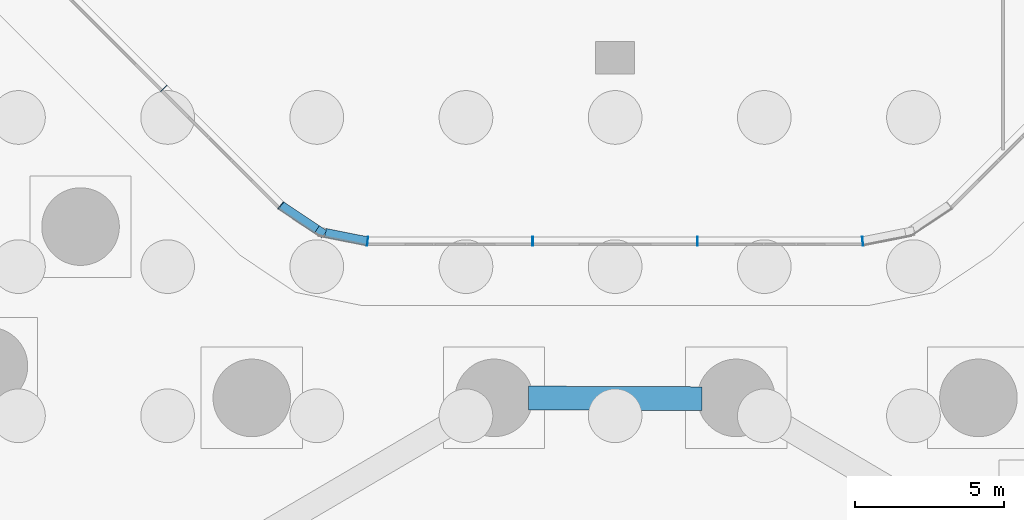
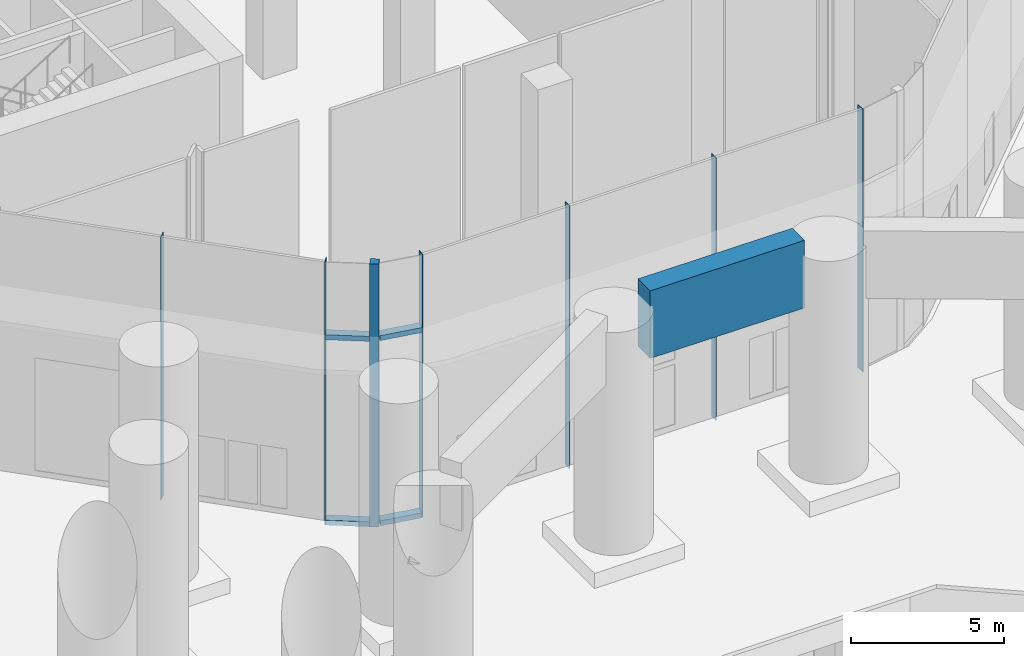
# One storey, part 5 of 31: 11 members, 1 beam, 4 elements without a shape of their own.
"""IFC4 building model written with IfcOpenShell, lengths in metres."""

from ifc_helpers import new_model, si_unit, direction, frame, origin, origin_2d, place, context, subcontext, project, spatial, rectangle, extrude, material, material_profile, profile_set, type_object, element, aggregate, save


model = new_model("IFC4")

# Units and contexts
model_context = context("Model", 3, precision=1e-05, world=origin(), true_north=direction((0.0, 1.0)))
body_context = subcontext(model_context, "Body", "Model", "MODEL_VIEW")
ifc_project = project(units=[si_unit("LENGTHUNIT", "METRE"), si_unit("AREAUNIT", "SQUARE_METRE"), si_unit("VOLUMEUNIT", "CUBIC_METRE"), si_unit("PLANEANGLEUNIT", "RADIAN"), si_unit("MASSUNIT", "GRAM", prefix="KILO")], contexts=[model_context])

# Site, building, storey
site_placement = place(None, origin())
site = spatial("IfcSite", under=ifc_project, at=site_placement, CompositionType="ELEMENT")
building_placement = place(site_placement, origin())
building = spatial("IfcBuilding", under=site, at=building_placement, Name="Orlundy Tower", CompositionType="ELEMENT")
storey_placement = place(building_placement, origin())
storey = spatial("IfcBuildingStorey", under=building, at=storey_placement, Name="L00", CompositionType="ELEMENT", Elevation=0.0)

# Curtain wall, member
ifc_material_1 = material(Name="Aluminium bronze anodised", Category="aluminium")
curtain_wall_type = type_object("IfcCurtainWallType", Name="CW3 wall", PredefinedType="NOTDEFINED", material=ifc_material_1)
curtain_wall_1_placement = place(storey_placement, origin())
curtain_wall_1 = element("IfcCurtainWall", 1, at=curtain_wall_1_placement, inside=storey, type_object=curtain_wall_type, Name="CW3 run 01", PredefinedType="NOTDEFINED")
ifc_material_2 = material(Name="Aluminium bronze anodised", Category="aluminium")
ifc_material_profile_1 = material_profile(ifc_material_2, rectangle(XDim=0.300048828125, YDim=0.300048828125, at=origin_2d()), Name="CW3 corner post 300x300")
ifc_profile_set_1 = profile_set([ifc_material_profile_1], Name="Aluminium bronze anodised")
member_type_1 = type_object("IfcMemberType", Name="CW3 corner post 300x300", PredefinedType="MULLION", material=ifc_profile_set_1)
member_1_placement = place(storey_placement, frame((-9.87353515625, -23.83740234375, -0.39990234375), z_axis=(0.0, 0.0, 1.0), x_axis=(-0.556177992729, -0.831063198802, 0.0)))
member_1 = element("IfcMember", 2, at=member_1_placement, type_object=member_type_1, Name="CW3 mullion 2", PredefinedType="MULLION", context=body_context, shape_type="SweptSolid", body=[
    extrude(rectangle(XDim=0.300048828125, YDim=0.300048828125, at=origin_2d()), origin(), (0.0, 0.0, 1.0), 10.5),
])

curtain_wall_2_placement = place(storey_placement, origin())
curtain_wall_2 = element("IfcCurtainWall", 3, at=curtain_wall_2_placement, inside=storey, type_object=curtain_wall_type, Name="CW3 run 00", PredefinedType="NOTDEFINED")
ifc_material_3 = material(Name="Toughened glass", Category="glass")
ifc_material_profile_2 = material_profile(ifc_material_3, rectangle(XDim=0.300048828125, YDim=0.01904296875, at=origin_2d()), Name="CW3 glass fin 19x300")
ifc_profile_set_2 = profile_set([ifc_material_profile_2], Name="Toughened glass")
member_type_2 = type_object("IfcMemberType", Name="CW3 glass fin 19x300", PredefinedType="MULLION", material=ifc_profile_set_2)
member_2_placement = place(storey_placement, frame((-8.298828125, -24.14990234375, -0.39990234375), z_axis=(0.0, 0.0, 1.0), x_axis=(-0.097849916421, -0.995201182604, 0.0)))
member_2 = element("IfcMember", 4, at=member_2_placement, type_object=member_type_2, Name="CW3 mullion 1", PredefinedType="MULLION", context=body_context, shape_type="SweptSolid", body=[
    extrude(rectangle(XDim=0.300048828125, YDim=0.01904296875, at=origin_2d()), origin(), (0.0, 0.0, 1.0), 10.5),
])

# Curtain wall, members
curtain_wall_3_placement = place(storey_placement, origin())
curtain_wall_3 = element("IfcCurtainWall", 5, at=curtain_wall_3_placement, inside=storey, type_object=curtain_wall_type, Name="CW3 run 02", PredefinedType="NOTDEFINED")
member_3_placement = place(storey_placement, frame((-11.207763671875, -22.944580078125, -0.39990234375), z_axis=(0.0, 0.0, 1.0), x_axis=(-0.63467582541, -0.772778491315, 0.0)))
member_3 = element("IfcMember", 6, at=member_3_placement, type_object=member_type_2, Name="CW3 mullion 3", PredefinedType="MULLION", context=body_context, shape_type="SweptSolid", body=[
    extrude(rectangle(XDim=0.300048828125, YDim=0.01904296875, at=origin_2d()), origin(), (0.0, 0.0, 1.0), 10.5),
])
member_4_placement = place(storey_placement, frame((-15.123291015625, -19.02880859375, -0.39990234375), z_axis=(0.0, 0.0, 1.0), x_axis=(-0.707106781187, -0.707106781187, 0.0)))
member_4 = element("IfcMember", 7, at=member_4_placement, type_object=member_type_2, Name="CW3 mullion 4", PredefinedType="MULLION", context=body_context, shape_type="SweptSolid", body=[
    extrude(rectangle(XDim=0.300048828125, YDim=0.01904296875, at=origin_2d()), origin(), (0.0, 0.0, 1.0), 10.5),
])
aggregate(curtain_wall_3, [member_3, member_4])

curtain_wall_4_placement = place(storey_placement, origin())
curtain_wall_4 = element("IfcCurtainWall", 8, at=curtain_wall_4_placement, inside=storey, type_object=curtain_wall_type, Name="CW3 run 023", PredefinedType="NOTDEFINED")
member_5_placement = place(storey_placement, frame((8.298828125, -24.14990234375, -0.39990234375), z_axis=(0.0, 0.0, 1.0), x_axis=(0.097849916421, -0.995201182604, 0.0)))
member_5 = element("IfcMember", 9, at=member_5_placement, type_object=member_type_2, Name="CW3 mullion 38", PredefinedType="MULLION", context=body_context, shape_type="SweptSolid", body=[
    extrude(rectangle(XDim=0.300048828125, YDim=0.01904296875, at=origin_2d()), origin(), (0.0, 0.0, 1.0), 10.5),
])
member_6_placement = place(storey_placement, frame((2.76123046875, -24.14990234375, -0.39990234375), z_axis=(0.0, 0.0, 1.0), x_axis=(0.0, -1.0, 0.0)))
member_6 = element("IfcMember", 10, at=member_6_placement, type_object=member_type_2, Name="CW3 mullion 39", PredefinedType="MULLION", context=body_context, shape_type="SweptSolid", body=[
    extrude(rectangle(XDim=0.300048828125, YDim=0.01904296875, at=origin_2d()), origin(), (0.0, 0.0, 1.0), 10.5),
])
member_7_placement = place(storey_placement, frame((-2.76123046875, -24.14990234375, -0.39990234375), z_axis=(0.0, 0.0, 1.0), x_axis=(0.0, -1.0, 0.0)))
member_7 = element("IfcMember", 11, at=member_7_placement, type_object=member_type_2, Name="CW3 mullion 40", PredefinedType="MULLION", context=body_context, shape_type="SweptSolid", body=[
    extrude(rectangle(XDim=0.300048828125, YDim=0.01904296875, at=origin_2d()), origin(), (0.0, 0.0, 1.0), 10.5),
])
aggregate(curtain_wall_4, [member_5, member_6, member_7])

# Member
ifc_material_4 = material(Name="Aluminium bronze anodised", Category="aluminium")
ifc_material_profile_3 = material_profile(ifc_material_4, rectangle(XDim=0.300048828125, YDim=0.199951171875, at=origin_2d()), Name="CW3 transom 300x200")
ifc_profile_set_3 = profile_set([ifc_material_profile_3], Name="Aluminium bronze anodised")
member_type_3 = type_object("IfcMemberType", Name="CW3 transom 300x200", PredefinedType="USERDEFINED", material=ifc_profile_set_3)
member_8_placement = place(storey_placement, frame((-8.313232421875, -24.147216796875, -0.300048828125), z_axis=(-0.980836198653, 0.194834163873, 0.0), x_axis=(-0.194834163873, -0.980836198653, 0.0)))
member_8 = element("IfcMember", 12, at=member_8_placement, type_object=member_type_3, Name="CW3 transom", ObjectType="TRANSOM", PredefinedType="USERDEFINED", context=body_context, shape_type="SweptSolid", body=[
    extrude(rectangle(XDim=0.300048828125, YDim=0.199951171875, at=origin_2d()), origin(), (0.0, 0.0, 1.0), 1.428466796875),
])

member_9_placement = place(storey_placement, frame((-8.313232421875, -24.147216796875, 7.10009765625), z_axis=(-0.980836198653, 0.194834163873, 0.0), x_axis=(-0.194834163873, -0.980836198653, 0.0)))
member_9 = element("IfcMember", 13, at=member_9_placement, type_object=member_type_3, Name="CW3 transom", ObjectType="TRANSOM", PredefinedType="USERDEFINED", context=body_context, shape_type="SweptSolid", body=[
    extrude(rectangle(XDim=0.300048828125, YDim=0.199951171875, at=origin_2d()), origin(), (0.0, 0.0, 1.0), 1.428466796875),
])

aggregate(curtain_wall_2, [member_2, member_8, member_9])

member_10_placement = place(storey_placement, frame((-9.998291015625, -23.75390625, -0.300048828125), z_axis=(-0.831005812651, 0.556263731822, 0.0), x_axis=(-0.556263731822, -0.831005812651, 0.0)))
member_10 = element("IfcMember", 14, at=member_10_placement, type_object=member_type_3, Name="CW3 transom", ObjectType="TRANSOM", PredefinedType="USERDEFINED", context=body_context, shape_type="SweptSolid", body=[
    extrude(rectangle(XDim=0.300048828125, YDim=0.199951171875, at=origin_2d()), origin(), (0.0, 0.0, 1.0), 1.4404296875),
])

member_11_placement = place(storey_placement, frame((-9.998291015625, -23.75390625, 7.10009765625), z_axis=(-0.831005812651, 0.556263731822, 0.0), x_axis=(-0.556263731822, -0.831005812651, 0.0)))
member_11 = element("IfcMember", 15, at=member_11_placement, type_object=member_type_3, Name="CW3 transom", ObjectType="TRANSOM", PredefinedType="USERDEFINED", context=body_context, shape_type="SweptSolid", body=[
    extrude(rectangle(XDim=0.300048828125, YDim=0.199951171875, at=origin_2d()), origin(), (0.0, 0.0, 1.0), 1.4404296875),
])

aggregate(curtain_wall_1, [member_1, member_10, member_11])

# Beam
ifc_material_5 = material(Name="Concrete C80/95", Category="concrete")
ifc_material_profile_4 = material_profile(ifc_material_5, rectangle(XDim=0.800048828125, YDim=2.699951171875, at=origin_2d()), Name="RC800X2700")
ifc_profile_set_4 = profile_set([ifc_material_profile_4], Name="Concrete C80/95")
beam_type = type_object("IfcBeamType", Name="RC FASCIA BEAM RC800X2700 C80/95", PredefinedType="BEAM", material=ifc_profile_set_4)
beam_placement = place(storey_placement, frame((2.9091796875, -29.42822265625, 8.75), z_axis=(-0.999991886231, 0.004028333728, 0.0), x_axis=(-0.004028333728, -0.999991886231, 0.0)))
element("IfcBeam", 16, at=beam_placement, inside=storey, type_object=beam_type, Name="Fascia beam 04", PredefinedType="BEAM", context=body_context, shape_type="SweptSolid", body=[
    extrude(rectangle(XDim=0.800048828125, YDim=2.699951171875, at=origin_2d()), origin(), (0.0, 0.0, 1.0), 5.818115234375),
])

save(model, "model.ifc")
